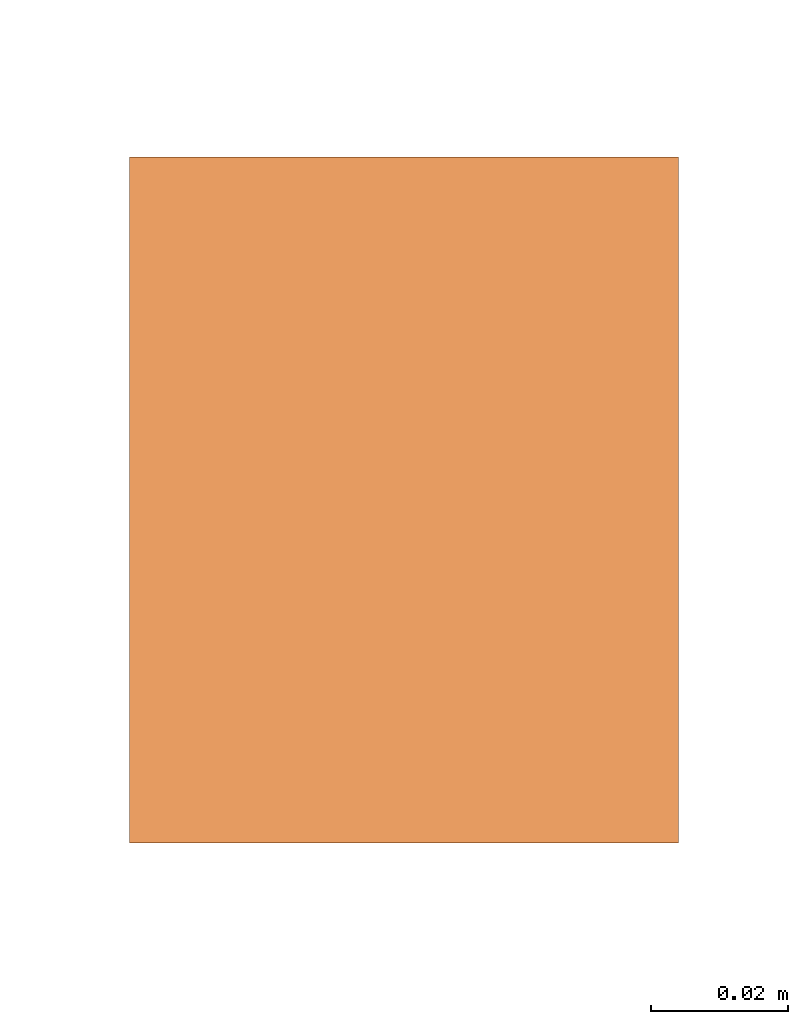
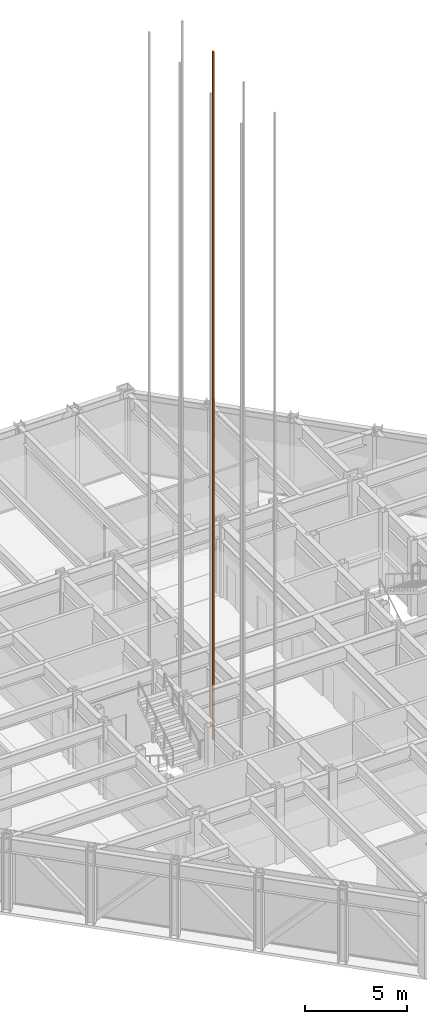
# One storey, part 22 of 24: 1 proxy.
"""IFC4 building model written with IfcOpenShell, lengths in metres."""

from ifc_helpers import new_model, si_unit, direction, frame, origin, origin_2d, place, context, subcontext, project, spatial, rectangle, extrude, material, type_object, element, save


model = new_model("IFC4")

# Units and contexts
model_context = context("Model", 3, precision=1e-05, world=origin(), true_north=direction((0.0, 1.0)))
body_context = subcontext(model_context, "Body", "Model", "MODEL_VIEW")
ifc_project = project(units=[si_unit("LENGTHUNIT", "METRE"), si_unit("AREAUNIT", "SQUARE_METRE"), si_unit("VOLUMEUNIT", "CUBIC_METRE"), si_unit("PLANEANGLEUNIT", "RADIAN"), si_unit("MASSUNIT", "GRAM", prefix="KILO")], contexts=[model_context])

# Site, building, storey
site_placement = place(None, origin())
site = spatial("IfcSite", under=ifc_project, at=site_placement, CompositionType="ELEMENT")
building_placement = place(site_placement, origin())
building = spatial("IfcBuilding", under=site, at=building_placement, Name="Chuquiago Exchange Tower", CompositionType="ELEMENT")
storey_placement = place(building_placement, frame((0.0, 0.0, 257.699951171875)))
storey = spatial("IfcBuildingStorey", under=building, at=storey_placement, Name="L57", CompositionType="ELEMENT", Elevation=257.699951171875)

# Proxy
ifc_material = material(Name="Galvanised steel guide rail", Category="steel")
building_element_proxy_type = type_object("IfcBuildingElementProxyType", Name="LR lift guide rail", PredefinedType="NOTDEFINED", material=ifc_material)
proxy_placement = place(storey_placement, frame((18.93505859375, 22.5, 0.0), z_axis=(0.0, 0.0, 1.0), x_axis=(1.0, 0.0, 0.0)))
element("IfcBuildingElementProxy", 1, at=proxy_placement, inside=storey, type_object=building_element_proxy_type, Name="Lift LD3 guide rail E", PredefinedType="NOTDEFINED", context=body_context, shape_type="SweptSolid", body=[
    extrude(rectangle(XDim=0.080078125, YDim=0.10009765625, at=origin_2d()), origin(), (0.0, 0.0, 1.0), 41.0),
])

save(model, "model.ifc")
